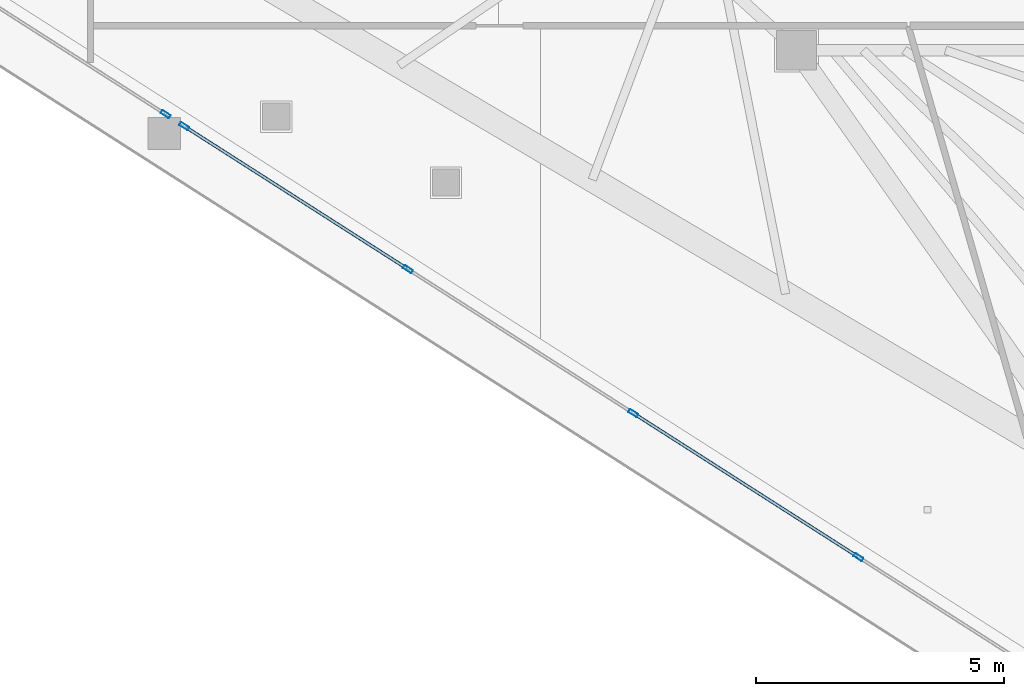
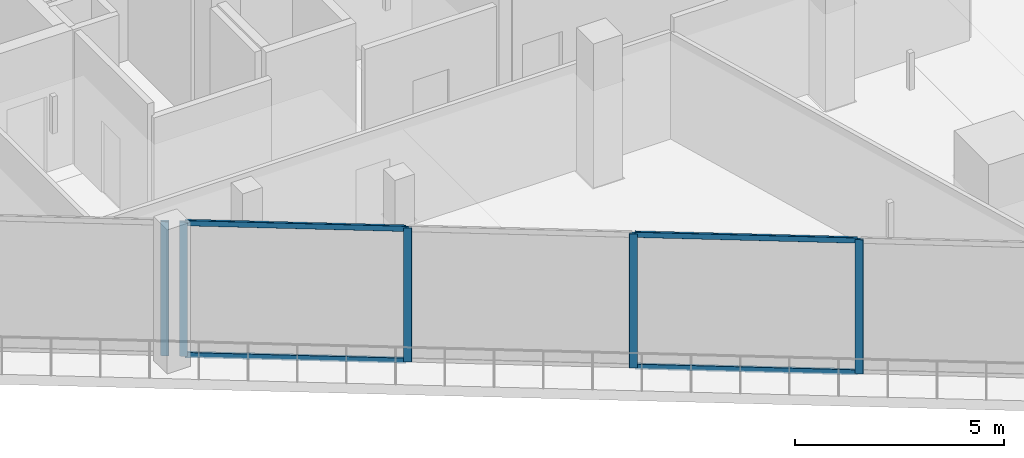
# One storey, part 3 of 31: 9 members, 2 elements without a shape of their own.
"""IFC4 building model written with IfcOpenShell, lengths in metres."""

import ifcopenshell
import ifcopenshell.guid

model = None  # the IFC model being written
_history = None  # IfcOwnerHistory: only IFC2X3 demands one
_inside = {}  # id of a spatial element -> (the spatial element, [elements in it])
_under = {}  # id of a project, library or spatial element -> (it, [spatial elements below it])
_declared = {}  # id of a project -> (the project, [libraries it declares])
_typed = {}  # id of a type object -> (the type object, [elements of that type])
_made_of = {}  # id of a material, layer set ... -> (it, [elements and type objects made of it])


def new_model(schema):
    """Start an empty IFC model of exactly this schema.

    Asked for "IFC4X3", IfcOpenShell would pick the latest addendum, in which some entities
    have other attributes; the version numbers below select the first issue.
    IFC2X3 requires an IfcOwnerHistory on every rooted entity: one is made here for all.
    """
    global model, _history
    if schema == "IFC4X3":
        model = ifcopenshell.file(schema_version=(4, 3, 0, 0))
    else:
        model = ifcopenshell.file(schema=schema)
    _inside.clear()
    _under.clear()
    _declared.clear()
    _typed.clear()
    _made_of.clear()
    _history = None
    if model.schema == "IFC2X3":
        org = make("IfcOrganization", Name="unknown")
        user = make(
            "IfcPersonAndOrganization",
            ThePerson=make("IfcPerson", FamilyName="unknown"),
            TheOrganization=org,
        )
        app = make(
            "IfcApplication",
            ApplicationDeveloper=org,
            Version="unknown",
            ApplicationFullName="unknown",
            ApplicationIdentifier="unknown",
        )
        _history = make(
            "IfcOwnerHistory",
            OwningUser=user,
            OwningApplication=app,
            ChangeAction="ADDED",
            CreationDate=0,
        )
    return model


def make(cls, **values):
    """One entity of the class cls with the attributes given. An attribute that is None is left unset."""
    return model.create_entity(
        cls, **{name: value for name, value in values.items() if value is not None}
    )


def rooted(cls, **values):
    """An entity with a GlobalId (a new one), such as an element, a storey or a relation."""
    return make(cls, GlobalId=ifcopenshell.guid.new(), OwnerHistory=_history, **values)


def si_unit(unit_type, name, prefix=None):
    """IfcSIUnit, for example si_unit("LENGTHUNIT", "METRE", prefix="MILLI")."""
    return make("IfcSIUnit", UnitType=unit_type, Prefix=prefix, Name=name)


def assignment(units):
    """IfcUnitAssignment: the units of a project."""
    return None if units is None else make("IfcUnitAssignment", Units=units)


def point(xyz):
    """IfcCartesianPoint."""
    return None if xyz is None else make("IfcCartesianPoint", Coordinates=xyz)


def direction(xyz):
    """IfcDirection."""
    return None if xyz is None else make("IfcDirection", DirectionRatios=xyz)


def frame(location, z_axis=None, x_axis=None):
    """IfcAxis2Placement3D, a coordinate frame: its origin and axes. An axis left out is left unset."""
    return make(
        "IfcAxis2Placement3D",
        Location=point(location),
        Axis=direction(z_axis),
        RefDirection=direction(x_axis),
    )


def frame_2d(location, x_axis=None):
    """IfcAxis2Placement2D, a coordinate frame in the plane: its origin and x axis."""
    return make(
        "IfcAxis2Placement2D", Location=point(location), RefDirection=direction(x_axis)
    )


def origin():
    """The frame at (0, 0, 0) with its axes left unset."""
    return frame((0.0, 0.0, 0.0))


def origin_2d():
    """The frame at (0, 0) in the plane with its x axis left unset."""
    return frame_2d((0.0, 0.0))


def place(relative_to, where):
    """IfcLocalPlacement: puts the frame where relative to a parent placement (None: the world)."""
    return make(
        "IfcLocalPlacement", PlacementRelTo=relative_to, RelativePlacement=where
    )


def context(
    kind, dimensions, precision=None, world=None, true_north=None, identifier=None
):
    """IfcGeometricRepresentationContext, for example the 3D "Model" context."""
    return make(
        "IfcGeometricRepresentationContext",
        ContextIdentifier=identifier,
        ContextType=kind,
        CoordinateSpaceDimension=dimensions,
        Precision=precision,
        WorldCoordinateSystem=world,
        TrueNorth=true_north,
    )


def subcontext(parent, identifier, kind, view, scale=None):
    """IfcGeometricRepresentationSubContext, for example "Body" below "Model"."""
    return make(
        "IfcGeometricRepresentationSubContext",
        ContextIdentifier=identifier,
        ContextType=kind,
        ParentContext=parent,
        TargetScale=scale,
        TargetView=view,
    )


def project(units=None, contexts=None):
    """IfcProject with its units and contexts."""
    return rooted(
        "IfcProject",
        Name="project",
        RepresentationContexts=contexts,
        UnitsInContext=assignment(units),
    )


def spatial(cls, under=None, at=None, **own):
    """A site, building, storey or space (cls), placed at a placement, below another one or the project."""
    s = rooted(cls, ObjectPlacement=at, **own)
    if under is not None:
        _under.setdefault(under.id(), (under, []))[1].append(s)
    return s


def profile(cls, at=None, kind="AREA", **sizes):
    """A parametric profile (cls). Its sizes go by their IFC names, for example OverallWidth=200.0."""
    return make(cls, ProfileType=kind, Position=at, **sizes)


def hollow_rectangle(**sizes):
    """IfcRectangleHollowProfileDef."""
    return profile("IfcRectangleHollowProfileDef", **sizes)


def extrude(swept, where, along, depth):
    """IfcExtrudedAreaSolid: the profile swept, set in the frame where, extruded along a direction by depth."""
    return make(
        "IfcExtrudedAreaSolid",
        SweptArea=swept,
        Position=where,
        ExtrudedDirection=direction(along),
        Depth=depth,
    )


def shape(context_of_items, identifier, shape_type, items):
    """IfcShapeRepresentation: the items that make up one representation, for example the "Body"."""
    return make(
        "IfcShapeRepresentation",
        ContextOfItems=context_of_items,
        RepresentationIdentifier=identifier,
        RepresentationType=shape_type,
        Items=items,
    )


def material(Name=None, Category=None):
    """IfcMaterial."""
    return make("IfcMaterial", Name=Name, Category=Category)


def layer(
    of_material, thickness, ventilated=None, Name=None, Category=None, Priority=None
):
    """IfcMaterialLayer: one layer of a wall or slab, of a material (None: an air gap)."""
    return make(
        "IfcMaterialLayer",
        Material=of_material,
        LayerThickness=thickness,
        IsVentilated=ventilated,
        Name=Name,
        Category=Category,
        Priority=Priority,
    )


def layer_set(layers, Name=None):
    """IfcMaterialLayerSet."""
    return make("IfcMaterialLayerSet", MaterialLayers=layers, LayerSetName=Name)


def material_profile(
    of_material, cross_section, Name=None, Category=None, Priority=None
):
    """IfcMaterialProfile: a cross section and its material."""
    return make(
        "IfcMaterialProfile",
        Name=Name,
        Material=of_material,
        Profile=cross_section,
        Priority=Priority,
        Category=Category,
    )


def profile_set(profiles, Name=None, composite=None):
    """IfcMaterialProfileSet."""
    return make(
        "IfcMaterialProfileSet",
        Name=Name,
        MaterialProfiles=profiles,
        CompositeProfile=composite,
    )


def made_of(thing, what):
    """Note that an element or type object is made of a material, layer set ...; save() writes the relation."""
    if what is not None:
        _made_of.setdefault(what.id(), (what, []))[1].append(thing)
    return thing


def type_object(cls, material=None, **own):
    """A type object (cls), such as IfcWallType, which elements share."""
    return made_of(rooted(cls, **own), material)


def element(
    cls,
    number,
    at=None,
    inside=None,
    cuts=None,
    type_object=None,
    material=None,
    context=None,
    identifier="Body",
    shape_type=None,
    held_by="IfcProductDefinitionShape",
    body=None,
    shapes=None,
    **own,
):
    """One element of the class cls, such as IfcWall. Its Tag is "e" and its number.

    at: its placement. inside: the storey or other place that contains it. cuts: it is an
    opening in that element (IfcRelVoidsElement). A single representation is given by context,
    identifier, shape_type and body (its items); several are given by shapes. held_by: the class
    of the entity that holds the representations. save() writes the other relations.
    """
    e = rooted(cls, Tag="e%d" % number, ObjectPlacement=at, **own)
    if body is not None:
        shapes = [shape(context, identifier, shape_type, body)]
    if shapes is not None:
        e.Representation = make(held_by, Representations=shapes)
    if inside is not None:
        _inside.setdefault(inside.id(), (inside, []))[1].append(e)
    if cuts is not None:
        rooted(
            "IfcRelVoidsElement", RelatingBuildingElement=cuts, RelatedOpeningElement=e
        )
    if type_object is not None:
        _typed.setdefault(type_object.id(), (type_object, []))[1].append(e)
    return made_of(e, material)


def aggregate(whole, parts):
    """IfcRelAggregates: a whole, such as a stair, and the parts it consists of."""
    return rooted("IfcRelAggregates", RelatingObject=whole, RelatedObjects=parts)


def save(model, path):
    """Write the relations noted so far, then the file.

    IfcRelAggregates (storeys below a building ...), IfcRelContainedInSpatialStructure (elements
    in a storey), IfcRelDefinesByType, IfcRelAssociatesMaterial and IfcRelDeclares: one each for
    every whole, place, type object, material and project.
    """
    for whole, parts in _under.values():
        aggregate(whole, parts)
    for where, things in _inside.values():
        rooted(
            "IfcRelContainedInSpatialStructure",
            RelatedElements=things,
            RelatingStructure=where,
        )
    for kind, things in _typed.values():
        rooted("IfcRelDefinesByType", RelatedObjects=things, RelatingType=kind)
    for what, things in _made_of.values():
        rooted("IfcRelAssociatesMaterial", RelatedObjects=things, RelatingMaterial=what)
    for by, libraries in _declared.values():
        rooted("IfcRelDeclares", RelatingContext=by, RelatedDefinitions=libraries)
    model.write(path)


model = new_model("IFC4")

# Units and contexts
model_context = context("Model", 3, precision=1e-05, world=origin(), true_north=direction((0.0, 1.0)))
body_context = subcontext(model_context, "Body", "Model", "MODEL_VIEW")
ifc_project = project(units=[si_unit("LENGTHUNIT", "METRE"), si_unit("AREAUNIT", "SQUARE_METRE"), si_unit("VOLUMEUNIT", "CUBIC_METRE"), si_unit("PLANEANGLEUNIT", "RADIAN"), si_unit("MASSUNIT", "GRAM", prefix="KILO")], contexts=[model_context])

# Site, building, storey
site_placement = place(None, origin())
site = spatial("IfcSite", under=ifc_project, at=site_placement, CompositionType="ELEMENT")
building_placement = place(site_placement, origin())
building = spatial("IfcBuilding", under=site, at=building_placement, Name="Qorvath Tower", CompositionType="ELEMENT")
storey_placement = place(building_placement, frame((0.0, 0.0, 259.800048828125)))
storey = spatial("IfcBuildingStorey", under=building, at=storey_placement, Name="L60", CompositionType="ELEMENT", Elevation=259.800048828125)

# Curtain wall, member
ifc_material_1 = material(Name="Anodised aluminium and triple low-E glass", Category="aluminium")
ifc_layer = layer(ifc_material_1, 0.179931640625)
ifc_layer_set = layer_set([ifc_layer], Name="CW-SYS-4")
curtain_wall_type = type_object("IfcCurtainWallType", Name="CW-SYS-4", PredefinedType="NOTDEFINED", material=ifc_layer_set)
curtain_wall_1_placement = place(storey_placement, origin())
curtain_wall_1 = element("IfcCurtainWall", 1, at=curtain_wall_1_placement, inside=storey, type_object=curtain_wall_type, Name="Curtain Wall CW-4 CW-T-L60-2.1", PredefinedType="NOTDEFINED")
ifc_material_2 = material(Name="Anodised aluminium 6063-T6", Category="aluminium")
ifc_material_profile_1 = material_profile(ifc_material_2, hollow_rectangle(XDim=0.074951171875, YDim=0.199951171875, WallThickness=0.00390625, InnerFilletRadius=0.00390625, OuterFilletRadius=0.008056640625, at=origin_2d()), Name="CWM 200x75")
ifc_profile_set_1 = profile_set([ifc_material_profile_1], Name="Anodised aluminium 6063-T6")
member_type_1 = type_object("IfcMemberType", Name="CWM-200", PredefinedType="MULLION", material=ifc_profile_set_1)
member_1_placement = place(storey_placement, frame((-36.339599609375, -12.7451171875, 0.0), z_axis=(0.0, 0.0, 1.0), x_axis=(0.538528809945, 0.84260709756, 0.0)))
member_1 = element("IfcMember", 2, at=member_1_placement, type_object=member_type_1, Name="CW-4 mullion 4", PredefinedType="MULLION", context=body_context, shape_type="SweptSolid", body=[
    extrude(hollow_rectangle(XDim=0.074951171875, YDim=0.199951171875, WallThickness=0.00390625, InnerFilletRadius=0.00390625, OuterFilletRadius=0.008056640625, at=origin_2d()), origin(), (0.0, 0.0, 1.0), 3.909912109375),
])
aggregate(curtain_wall_1, [member_1])

# Curtain wall, members
curtain_wall_2_placement = place(storey_placement, origin())
curtain_wall_2 = element("IfcCurtainWall", 3, at=curtain_wall_2_placement, inside=storey, type_object=curtain_wall_type, Name="Curtain Wall CW-4 CW-T-L60-2.2", PredefinedType="NOTDEFINED")
member_2_placement = place(storey_placement, frame((-35.962890625, -12.98583984375, 0.0), z_axis=(0.0, 0.0, 1.0), x_axis=(0.538536275061, 0.842602326393, 0.0)))
member_2 = element("IfcMember", 4, at=member_2_placement, type_object=member_type_1, Name="CW-4 mullion 1", PredefinedType="MULLION", context=body_context, shape_type="SweptSolid", body=[
    extrude(hollow_rectangle(XDim=0.074951171875, YDim=0.199951171875, WallThickness=0.00390625, InnerFilletRadius=0.00390625, OuterFilletRadius=0.008056640625, at=origin_2d()), origin(), (0.0, 0.0, 1.0), 3.909912109375),
])
member_3_placement = place(storey_placement, frame((-31.446533203125, -15.872314453125, 0.0), z_axis=(0.0, 0.0, 1.0), x_axis=(0.538536275061, 0.842602326393, 0.0)))
member_3 = element("IfcMember", 5, at=member_3_placement, type_object=member_type_1, Name="CW-4 mullion 2", PredefinedType="MULLION", context=body_context, shape_type="SweptSolid", body=[
    extrude(hollow_rectangle(XDim=0.074951171875, YDim=0.199951171875, WallThickness=0.00390625, InnerFilletRadius=0.00390625, OuterFilletRadius=0.008056640625, at=origin_2d()), origin(), (0.0, 0.0, 1.0), 3.909912109375),
])
member_4_placement = place(storey_placement, frame((-26.8984375, -18.779296875, 0.0), z_axis=(0.0, 0.0, 1.0), x_axis=(0.538536275061, 0.842602326393, 0.0)))
member_4 = element("IfcMember", 6, at=member_4_placement, type_object=member_type_1, Name="CW-4 mullion 3", PredefinedType="MULLION", context=body_context, shape_type="SweptSolid", body=[
    extrude(hollow_rectangle(XDim=0.074951171875, YDim=0.199951171875, WallThickness=0.00390625, InnerFilletRadius=0.00390625, OuterFilletRadius=0.008056640625, at=origin_2d()), origin(), (0.0, 0.0, 1.0), 3.909912109375),
])
member_5_placement = place(storey_placement, frame((-22.3505859375, -21.68603515625, 0.0), z_axis=(0.0, 0.0, 1.0), x_axis=(0.538536275061, 0.842602326393, 0.0)))
member_5 = element("IfcMember", 7, at=member_5_placement, type_object=member_type_1, Name="CW-4 mullion 4", PredefinedType="MULLION", context=body_context, shape_type="SweptSolid", body=[
    extrude(hollow_rectangle(XDim=0.074951171875, YDim=0.199951171875, WallThickness=0.00390625, InnerFilletRadius=0.00390625, OuterFilletRadius=0.008056640625, at=origin_2d()), origin(), (0.0, 0.0, 1.0), 3.909912109375),
])
ifc_material_3 = material(Name="Anodised aluminium 6063-T6", Category="aluminium")
ifc_material_profile_2 = material_profile(ifc_material_3, hollow_rectangle(XDim=0.06494140625, YDim=0.159912109375, WallThickness=0.00341796875, InnerFilletRadius=0.00341796875, OuterFilletRadius=0.007080078125, at=origin_2d()), Name="CWT 160x65")
ifc_profile_set_2 = profile_set([ifc_material_profile_2], Name="Anodised aluminium 6063-T6")
member_type_2 = type_object("IfcMemberType", Name="CWT-160", PredefinedType="USERDEFINED", material=ifc_profile_set_2)
member_6_placement = place(storey_placement, frame((-35.931396484375, -13.006103515625, 0.032470703125), z_axis=(0.842598438878, -0.53854235748, 0.0), x_axis=(0.53854235748, 0.842598438878, 0.0)))
member_6 = element("IfcMember", 8, at=member_6_placement, type_object=member_type_2, Name="CW-4 transom 1.1", ObjectType="TRANSOM", PredefinedType="USERDEFINED", context=body_context, shape_type="SweptSolid", body=[
    extrude(hollow_rectangle(XDim=0.06494140625, YDim=0.159912109375, WallThickness=0.00341796875, InnerFilletRadius=0.00341796875, OuterFilletRadius=0.007080078125, at=origin_2d()), origin(), (0.0, 0.0, 1.0), 5.284912109375),
])
member_7_placement = place(storey_placement, frame((-35.931396484375, -13.006103515625, 3.87744140625), z_axis=(0.842598438878, -0.53854235748, 0.0), x_axis=(0.53854235748, 0.842598438878, 0.0)))
member_7 = element("IfcMember", 9, at=member_7_placement, type_object=member_type_2, Name="CW-4 transom 1.2", ObjectType="TRANSOM", PredefinedType="USERDEFINED", context=body_context, shape_type="SweptSolid", body=[
    extrude(hollow_rectangle(XDim=0.06494140625, YDim=0.159912109375, WallThickness=0.00341796875, InnerFilletRadius=0.00341796875, OuterFilletRadius=0.007080078125, at=origin_2d()), origin(), (0.0, 0.0, 1.0), 5.284912109375),
])
member_8_placement = place(storey_placement, frame((-26.866943359375, -18.79931640625, 0.032470703125), z_axis=(0.842600287474, -0.538539465173, 0.0), x_axis=(0.538539465173, 0.842600287474, 0.0)))
member_8 = element("IfcMember", 10, at=member_8_placement, type_object=member_type_2, Name="CW-4 transom 3.1", ObjectType="TRANSOM", PredefinedType="USERDEFINED", context=body_context, shape_type="SweptSolid", body=[
    extrude(hollow_rectangle(XDim=0.06494140625, YDim=0.159912109375, WallThickness=0.00341796875, InnerFilletRadius=0.00341796875, OuterFilletRadius=0.007080078125, at=origin_2d()), origin(), (0.0, 0.0, 1.0), 5.32275390625),
])
member_9_placement = place(storey_placement, frame((-26.866943359375, -18.79931640625, 3.87744140625), z_axis=(0.842600287474, -0.538539465173, 0.0), x_axis=(0.538539465173, 0.842600287474, 0.0)))
member_9 = element("IfcMember", 11, at=member_9_placement, type_object=member_type_2, Name="CW-4 transom 3.2", ObjectType="TRANSOM", PredefinedType="USERDEFINED", context=body_context, shape_type="SweptSolid", body=[
    extrude(hollow_rectangle(XDim=0.06494140625, YDim=0.159912109375, WallThickness=0.00341796875, InnerFilletRadius=0.00341796875, OuterFilletRadius=0.007080078125, at=origin_2d()), origin(), (0.0, 0.0, 1.0), 5.32275390625),
])
aggregate(curtain_wall_2, [member_2, member_3, member_4, member_5, member_6, member_7, member_8, member_9])

save(model, "model.ifc")
